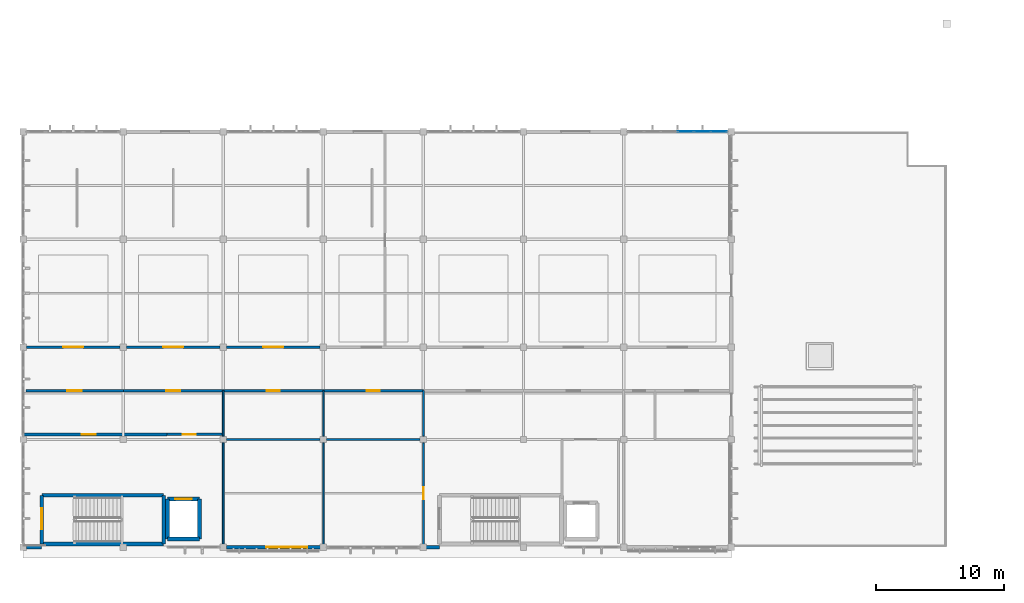
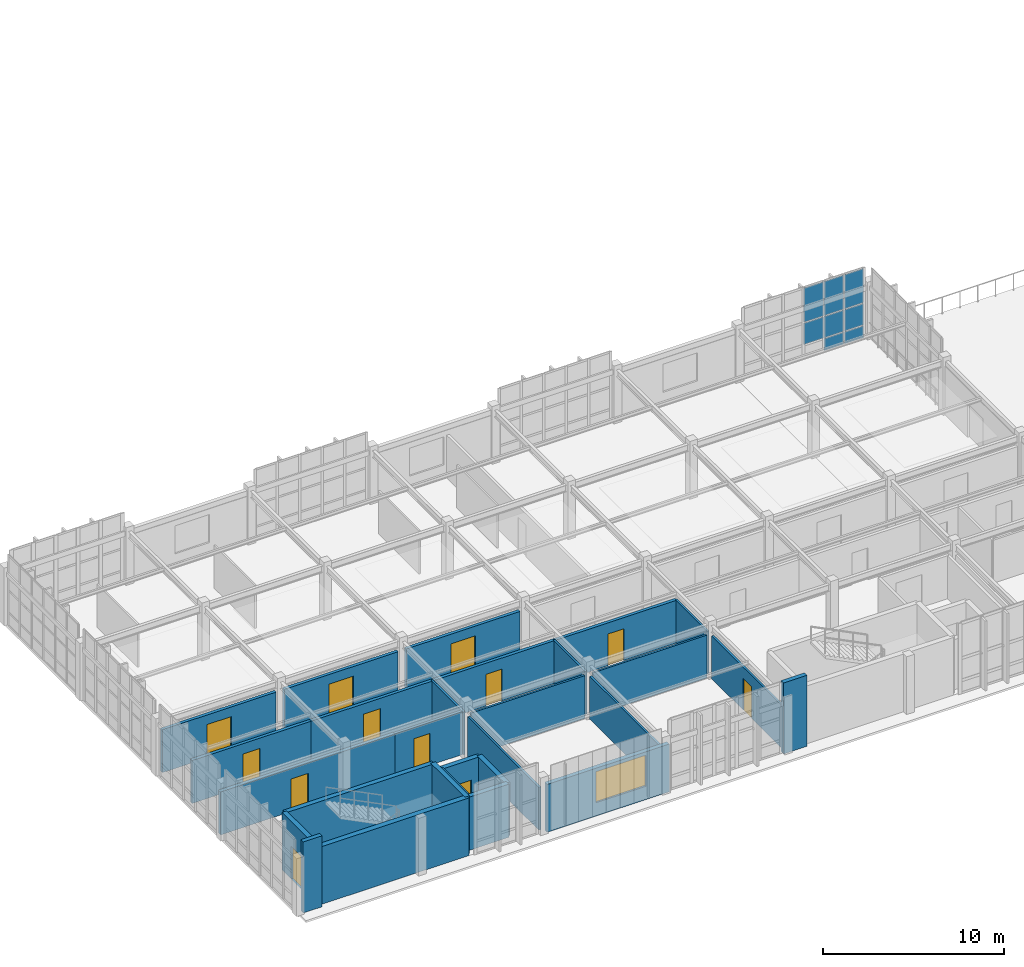
# One storey, part 12 of 20: 28 walls, 12 doors, 8 plates, 1 window, 13 openings, 1 element without a shape of its own.
"""IFC4 building model written with IfcOpenShell, lengths in metres."""

from ifc_helpers import new_model, si_unit, direction, frame, frame_2d, origin, origin_2d, place, context, subcontext, project, spatial, rectangle, extrude, material, layer, layer_set, type_object, element, fill, aggregate, save


model = new_model("IFC4")

# Units and contexts
model_context = context("Model", 3, precision=1e-05, world=origin(), true_north=direction((0.0, 1.0)))
body_context = subcontext(model_context, "Body", "Model", "MODEL_VIEW")
ifc_project = project(units=[si_unit("LENGTHUNIT", "METRE"), si_unit("AREAUNIT", "SQUARE_METRE"), si_unit("VOLUMEUNIT", "CUBIC_METRE"), si_unit("PLANEANGLEUNIT", "RADIAN"), si_unit("MASSUNIT", "GRAM", prefix="KILO")], contexts=[model_context])

# Site, building, storey
site_placement = place(None, origin())
site = spatial("IfcSite", under=ifc_project, at=site_placement, CompositionType="ELEMENT")
building_placement = place(site_placement, origin())
building = spatial("IfcBuilding", under=site, at=building_placement, Name="Tizgana Railside Sports Hall", CompositionType="ELEMENT")
storey_placement = place(building_placement, frame((0.0, 0.0, 19.800048828125)))
storey = spatial("IfcBuildingStorey", under=building, at=storey_placement, Name="L04", CompositionType="ELEMENT", Elevation=19.800048828125)

# Curtain wall, plates
ifc_material_1 = material(Name="Anodised aluminium and glass", Category="aluminium")
curtain_wall_type = type_object("IfcCurtainWallType", Name="Unitised Curtain Wall Clinic 1200", PredefinedType="NOTDEFINED", material=ifc_material_1)
curtain_wall_placement = place(storey_placement, origin())
curtain_wall = element("IfcCurtainWall", 1, at=curtain_wall_placement, inside=storey, type_object=curtain_wall_type, Name="L04 Curtain Wall CW-0140", PredefinedType="NOTDEFINED")
ifc_material_2 = material(Name="Double low-E laminated glass", Category="glass")
ifc_layer_1 = layer(ifc_material_2, 0.028076171875, Name="Double low-E laminated glass")
ifc_layer_set_1 = layer_set([ifc_layer_1], Name="Double low-E laminated glass")
plate_type = type_object("IfcPlateType", Name="Solar Low-E Glazing Panel 28", PredefinedType="CURTAIN_PANEL", material=ifc_layer_set_1)
plate_1_placement = place(storey_placement, frame((59.44921875, 32.39990234375, 0.929931640625), z_axis=(0.0, 0.0, 1.0), x_axis=(1.0, 0.0, 0.0)))
plate_1 = element("IfcPlate", 2, at=plate_1_placement, type_object=plate_type, Name="CW-05 panel 4.2", PredefinedType="CURTAIN_PANEL", context=body_context, shape_type="SweptSolid", body=[
    extrude(rectangle(XDim=1.23828125, YDim=0.028076171875, at=origin_2d()), origin(), (0.0, 0.0, 1.0), 1.43994140625),
])
plate_2_placement = place(storey_placement, frame((59.44921875, 32.39990234375, 2.429931640625), z_axis=(0.0, 0.0, 1.0), x_axis=(1.0, 0.0, 0.0)))
plate_2 = element("IfcPlate", 3, at=plate_2_placement, type_object=plate_type, Name="CW-05 panel 4.3", PredefinedType="CURTAIN_PANEL", context=body_context, shape_type="SweptSolid", body=[
    extrude(rectangle(XDim=1.23828125, YDim=0.028076171875, at=origin_2d()), origin(), (0.0, 0.0, 1.0), 2.31005859375),
])
plate_3_placement = place(storey_placement, frame((60.74755859375, 32.39990234375, 0.059814453125), z_axis=(0.0, 0.0, 1.0), x_axis=(1.0, 0.0, 0.0)))
plate_3 = element("IfcPlate", 4, at=plate_3_placement, type_object=plate_type, Name="CW-05 panel 5.1", PredefinedType="CURTAIN_PANEL", context=body_context, shape_type="SweptSolid", body=[
    extrude(rectangle(XDim=1.23828125, YDim=0.028076171875, at=origin_2d()), origin(), (0.0, 0.0, 1.0), 0.81005859375),
])
plate_4_placement = place(storey_placement, frame((60.74755859375, 32.39990234375, 0.929931640625), z_axis=(0.0, 0.0, 1.0), x_axis=(1.0, 0.0, 0.0)))
plate_4 = element("IfcPlate", 5, at=plate_4_placement, type_object=plate_type, Name="CW-05 panel 5.2", PredefinedType="CURTAIN_PANEL", context=body_context, shape_type="SweptSolid", body=[
    extrude(rectangle(XDim=1.23828125, YDim=0.028076171875, at=origin_2d()), origin(), (0.0, 0.0, 1.0), 1.43994140625),
])
plate_5_placement = place(storey_placement, frame((60.74755859375, 32.39990234375, 2.429931640625), z_axis=(0.0, 0.0, 1.0), x_axis=(1.0, 0.0, 0.0)))
plate_5 = element("IfcPlate", 6, at=plate_5_placement, type_object=plate_type, Name="CW-05 panel 5.3", PredefinedType="CURTAIN_PANEL", context=body_context, shape_type="SweptSolid", body=[
    extrude(rectangle(XDim=1.23828125, YDim=0.028076171875, at=origin_2d()), origin(), (0.0, 0.0, 1.0), 2.31005859375),
])
plate_6_placement = place(storey_placement, frame((62.03076171875, 32.39990234375, 0.059814453125), z_axis=(0.0, 0.0, 1.0), x_axis=(1.0, 0.0, 0.0)))
plate_6 = element("IfcPlate", 7, at=plate_6_placement, type_object=plate_type, Name="CW-05 panel 6.1", PredefinedType="CURTAIN_PANEL", context=body_context, shape_type="SweptSolid", body=[
    extrude(rectangle(XDim=1.208251953125, YDim=0.028076171875, at=origin_2d()), origin(), (0.0, 0.0, 1.0), 0.81005859375),
])
plate_7_placement = place(storey_placement, frame((62.03076171875, 32.39990234375, 0.929931640625), z_axis=(0.0, 0.0, 1.0), x_axis=(1.0, 0.0, 0.0)))
plate_7 = element("IfcPlate", 8, at=plate_7_placement, type_object=plate_type, Name="CW-05 panel 6.2", PredefinedType="CURTAIN_PANEL", context=body_context, shape_type="SweptSolid", body=[
    extrude(rectangle(XDim=1.208251953125, YDim=0.028076171875, at=origin_2d()), origin(), (0.0, 0.0, 1.0), 1.43994140625),
])
plate_8_placement = place(storey_placement, frame((62.03076171875, 32.39990234375, 2.429931640625), z_axis=(0.0, 0.0, 1.0), x_axis=(1.0, 0.0, 0.0)))
plate_8 = element("IfcPlate", 9, at=plate_8_placement, type_object=plate_type, Name="CW-05 panel 6.3", PredefinedType="CURTAIN_PANEL", context=body_context, shape_type="SweptSolid", body=[
    extrude(rectangle(XDim=1.208251953125, YDim=0.028076171875, at=origin_2d()), origin(), (0.0, 0.0, 1.0), 2.31005859375),
])
aggregate(curtain_wall, [plate_1, plate_2, plate_3, plate_4, plate_5, plate_6, plate_7, plate_8])

# Wall
ifc_material_3 = material(Name="Concrete C40/50", Category="concrete")
ifc_layer_2 = layer(ifc_material_3, 0.300048828125, Name="Concrete C40/50")
ifc_layer_set_2 = layer_set([ifc_layer_2], Name="Concrete C40/50")
wall_type_1 = type_object("IfcWallType", Name="Core Shear Wall 300", PredefinedType="SHEAR", material=ifc_layer_set_2)
wall_1_placement = place(storey_placement, frame((9.25, 4.050048828125, 0.0), z_axis=(0.0, 0.0, 1.0), x_axis=(1.0, 0.0, 0.0)))
element("IfcWall", 10, at=wall_1_placement, inside=storey, type_object=wall_type_1, Name="L04 C1 Shaft Wall N", PredefinedType="SHEAR", context=body_context, shape_type="SweptSolid", body=[
    extrude(rectangle(XDim=9.5, YDim=0.300048828125, at=frame_2d((4.75, 0.0))), origin(), (0.0, 0.0, 1.0), 3.89990234375),
])

# Wall, opening, door
wall_2_placement = place(storey_placement, frame((9.25, 0.25, 0.0), z_axis=(0.0, 0.0, 1.0), x_axis=(0.0, 1.0, 0.0)))
wall_2 = element("IfcWall", 11, at=wall_2_placement, inside=storey, type_object=wall_type_1, Name="L04 C1 Shaft Wall W", PredefinedType="SHEAR", context=body_context, shape_type="SweptSolid", body=[
    extrude(rectangle(XDim=3.800048828125, YDim=0.300048828125, at=frame_2d((1.89990234375, 0.0))), origin(), (0.0, 0.0, 1.0), 3.89990234375),
])
opening_1_placement = place(wall_2_placement, frame((1.14990234375, 0.0, 0.0)))
opening_1 = element("IfcOpeningElement", 12, at=opening_1_placement, cuts=wall_2, Name="Opening D-0042", PredefinedType="OPENING", context=body_context, shape_type="SweptSolid", body=[
    extrude(rectangle(XDim=1.64990234375, YDim=2.199951171875, at=frame_2d((0.824951171875, 1.10009765625))), frame((0.0, 0.159912109375, 0.0), z_axis=(0.0, -1.0, 0.0), x_axis=(1.0, 0.0, 0.0)), (0.0, 0.0, 1.0), 0.320068359375),
])
ifc_material_4 = material(Name="Timber fire leaf", Category="wood")
door_type_1 = type_object("IfcDoorType", Name="Stair Core Double Fire Door 1650x2200", OperationType="NOTDEFINED", PredefinedType="DOOR", material=ifc_material_4)
door_1_placement = place(opening_1_placement, origin())
door_1 = element("IfcDoor", 13, at=door_1_placement, inside=storey, type_object=door_type_1, Name="L04 Door D-0042", OperationType="DOUBLE_DOOR_SINGLE_SWING", OverallHeight=2.199951171875, OverallWidth=1.64990234375, PredefinedType="DOOR", context=body_context, shape_type="SweptSolid", body=[
    extrude(rectangle(XDim=1.64990234375, YDim=2.199951171875, at=frame_2d((0.824951171875, 1.10009765625))), frame((0.0, 0.02490234375, 0.0), z_axis=(0.0, -1.0, 0.0), x_axis=(1.0, 0.0, 0.0)), (0.0, 0.0, 1.0), 0.050048828125),
])
fill(opening_1, door_1)

# Walls
wall_3_placement = place(storey_placement, frame((18.75, 0.25, 0.0), z_axis=(0.0, 0.0, 1.0), x_axis=(0.0, 1.0, 0.0)))
element("IfcWall", 14, at=wall_3_placement, inside=storey, type_object=wall_type_1, Name="L04 C1 Shaft Wall E", PredefinedType="SHEAR", context=body_context, shape_type="SweptSolid", body=[
    extrude(rectangle(XDim=3.800048828125, YDim=0.300048828125, at=frame_2d((1.89990234375, 0.0))), origin(), (0.0, 0.0, 1.0), 3.89990234375),
])
wall_4_placement = place(storey_placement, frame((19.050048828125, 0.64990234375, 0.0), z_axis=(0.0, 0.0, 1.0), x_axis=(1.0, 0.0, 0.0)))
element("IfcWall", 15, at=wall_4_placement, inside=storey, type_object=wall_type_1, Name="L04 LF-01 Shaft Wall S", PredefinedType="SHEAR", context=body_context, shape_type="SweptSolid", body=[
    extrude(rectangle(XDim=2.5, YDim=0.300048828125, at=frame_2d((1.25, 0.0))), origin(), (0.0, 0.0, 1.0), 3.599853515625),
])

# Wall, opening, door
wall_5_placement = place(storey_placement, frame((19.050048828125, 3.75, 0.0), z_axis=(0.0, 0.0, 1.0), x_axis=(1.0, 0.0, 0.0)))
wall_5 = element("IfcWall", 16, at=wall_5_placement, inside=storey, type_object=wall_type_1, Name="L04 LF-01 Shaft Wall N", PredefinedType="SHEAR", context=body_context, shape_type="SweptSolid", body=[
    extrude(rectangle(XDim=2.5, YDim=0.300048828125, at=frame_2d((1.25, 0.0))), origin(), (0.0, 0.0, 1.0), 3.599853515625),
])
opening_2_placement = place(wall_5_placement, frame((0.60009765625, 0.0, 0.0)))
opening_2 = element("IfcOpeningElement", 17, at=opening_2_placement, cuts=wall_5, Name="Opening D-0048", PredefinedType="OPENING", context=body_context, shape_type="SweptSolid", body=[
    extrude(rectangle(XDim=1.300048828125, YDim=2.199951171875, at=frame_2d((0.64990234375, 1.10009765625))), frame((0.0, 0.159912109375, 0.0), z_axis=(0.0, -1.0, 0.0), x_axis=(1.0, 0.0, 0.0)), (0.0, 0.0, 1.0), 0.320068359375),
])
ifc_material_5 = material(Name="Brushed stainless steel", Category="steel")
door_type_2 = type_object("IfcDoorType", Name="Stretcher Lift Sliding Door 1300x2200", OperationType="NOTDEFINED", PredefinedType="DOOR", material=ifc_material_5)
door_2_placement = place(opening_2_placement, origin())
door_2 = element("IfcDoor", 18, at=door_2_placement, inside=storey, type_object=door_type_2, Name="L04 Door D-0048", OperationType="DOUBLE_DOOR_SLIDING", OverallHeight=2.199951171875, OverallWidth=1.300048828125, PredefinedType="DOOR", context=body_context, shape_type="SweptSolid", body=[
    extrude(rectangle(XDim=1.300048828125, YDim=2.199951171875, at=frame_2d((0.64990234375, 1.10009765625))), frame((0.0, 0.02490234375, 0.0), z_axis=(0.0, -1.0, 0.0), x_axis=(1.0, 0.0, 0.0)), (0.0, 0.0, 1.0), 0.050048828125),
])
fill(opening_2, door_2)

# Walls
for number, where, z_axis, x_axis, name in (
    (19, (19.050048828125, 0.64990234375, 0.0), (0.0, 0.0, 1.0), (0.0, 1.0, 0.0), "L04 LF-01 Shaft Wall W"),
    (20, (21.550048828125, 0.64990234375, 0.0), (0.0, 0.0, 1.0), (0.0, 1.0, 0.0), "L04 LF-01 Shaft Wall E"),
):
    element("IfcWall", number, at=place(storey_placement, frame(where, z_axis=z_axis, x_axis=x_axis)), inside=storey, type_object=wall_type_1, Name=name, PredefinedType="SHEAR", context=body_context, shape_type="SweptSolid", body=[
        extrude(rectangle(XDim=3.10009765625, YDim=0.300048828125, at=frame_2d((1.550048828125, 0.0))), origin(), (0.0, 0.0, 1.0), 3.599853515625),
    ])

# Wall, opening, door
ifc_material_6 = material(Name="Masonry blockwork", Category="masonry")
ifc_layer_3 = layer(ifc_material_6, 0.199951171875, Name="Masonry blockwork")
ifc_layer_set_3 = layer_set([ifc_layer_3], Name="Masonry blockwork")
wall_type_2 = type_object("IfcWallType", Name="Corridor Compartment Partition 200", PredefinedType="STANDARD", material=ifc_layer_set_3)
wall_6_placement = place(storey_placement, frame((8.06005859375, 15.60009765625, 0.0), z_axis=(0.0, 0.0, 1.0), x_axis=(1.0, 0.0, 0.0)))
wall_6 = element("IfcWall", 21, at=wall_6_placement, inside=storey, type_object=wall_type_2, Name="L04 Partition PWAL-0196", PredefinedType="STANDARD", context=body_context, shape_type="SweptSolid", body=[
    extrude(rectangle(XDim=7.280029296875, YDim=0.199951171875, at=frame_2d((3.64013671875, 0.0))), origin(), (0.0, 0.0, 1.0), 2.89990234375),
])
opening_3_placement = place(wall_6_placement, frame((2.864990234375, 0.0, 0.0)))
opening_3 = element("IfcOpeningElement", 22, at=opening_3_placement, cuts=wall_6, Name="Opening D-0211", PredefinedType="OPENING", context=body_context, shape_type="SweptSolid", body=[
    extrude(rectangle(XDim=1.550048828125, YDim=2.25, at=frame_2d((0.77490234375, 1.125))), frame((0.0, 0.10986328125, 0.0), z_axis=(0.0, -1.0, 0.0), x_axis=(1.0, 0.0, 0.0)), (0.0, 0.0, 1.0), 0.219970703125),
])
ifc_material_7 = material(Name="Acoustic perforated timber", Category="wood")
door_type_3 = type_object("IfcDoorType", Name="Studio Acoustic Double Door 1550x2250", OperationType="NOTDEFINED", PredefinedType="DOOR", material=ifc_material_7)
door_3_placement = place(opening_3_placement, origin())
door_3 = element("IfcDoor", 23, at=door_3_placement, inside=storey, type_object=door_type_3, Name="L04 Door D-0211", OperationType="DOUBLE_DOOR_SINGLE_SWING", OverallHeight=2.25, OverallWidth=1.550048828125, PredefinedType="DOOR", context=body_context, shape_type="SweptSolid", body=[
    extrude(rectangle(XDim=1.550048828125, YDim=2.25, at=frame_2d((0.77490234375, 1.125))), frame((0.0, 0.02490234375, 0.0), z_axis=(0.0, -1.0, 0.0), x_axis=(1.0, 0.0, 0.0)), (0.0, 0.0, 1.0), 0.050048828125),
])
fill(opening_3, door_3)

wall_7_placement = place(storey_placement, frame((8.0, 12.199951171875, 0.0), z_axis=(0.0, 0.0, 1.0), x_axis=(1.0, 0.0, 0.0)))
wall_7 = element("IfcWall", 24, at=wall_7_placement, inside=storey, type_object=wall_type_2, Name="L04 Partition PWAL-0197", PredefinedType="STANDARD", context=body_context, shape_type="SweptSolid", body=[
    extrude(rectangle(XDim=7.60009765625, YDim=0.199951171875, at=frame_2d((3.800048828125, 0.0))), origin(), (0.0, 0.0, 1.0), 2.89990234375),
])
opening_4_placement = place(wall_7_placement, frame((3.25, 0.0, 0.0)))
opening_4 = element("IfcOpeningElement", 25, at=opening_4_placement, cuts=wall_7, Name="Opening D-0212", PredefinedType="OPENING", context=body_context, shape_type="SweptSolid", body=[
    extrude(rectangle(XDim=1.10009765625, YDim=2.199951171875, at=frame_2d((0.550048828125, 1.10009765625))), frame((0.0, 0.10986328125, 0.0), z_axis=(0.0, -1.0, 0.0), x_axis=(1.0, 0.0, 0.0)), (0.0, 0.0, 1.0), 0.219970703125),
])
door_type_4 = type_object("IfcDoorType", Name="Firefighting Lobby Fire Door 1100x2200", OperationType="NOTDEFINED", PredefinedType="DOOR", material=ifc_material_4)
door_4_placement = place(opening_4_placement, origin())
door_4 = element("IfcDoor", 26, at=door_4_placement, inside=storey, type_object=door_type_4, Name="L04 Door D-0212", OperationType="SINGLE_SWING_LEFT", OverallHeight=2.199951171875, OverallWidth=1.10009765625, PredefinedType="DOOR", context=body_context, shape_type="SweptSolid", body=[
    extrude(rectangle(XDim=1.10009765625, YDim=2.199951171875, at=frame_2d((0.550048828125, 1.10009765625))), frame((0.0, 0.02490234375, 0.0), z_axis=(0.0, -1.0, 0.0), x_axis=(1.0, 0.0, 0.0)), (0.0, 0.0, 1.0), 0.050048828125),
])
fill(opening_4, door_4)

wall_8_placement = place(storey_placement, frame((15.860107421875, 15.60009765625, 0.0), z_axis=(0.0, 0.0, 1.0), x_axis=(1.0, 0.0, 0.0)))
wall_8 = element("IfcWall", 27, at=wall_8_placement, inside=storey, type_object=wall_type_2, Name="L04 Partition PWAL-0198", PredefinedType="STANDARD", context=body_context, shape_type="SweptSolid", body=[
    extrude(rectangle(XDim=7.27978515625, YDim=0.199951171875, at=frame_2d((3.639892578125, 0.0))), origin(), (0.0, 0.0, 1.0), 2.89990234375),
])
opening_5_placement = place(wall_8_placement, frame((2.864990234375, 0.0, 0.0)))
opening_5 = element("IfcOpeningElement", 28, at=opening_5_placement, cuts=wall_8, Name="Opening D-0213", PredefinedType="OPENING", context=body_context, shape_type="SweptSolid", body=[
    extrude(rectangle(XDim=1.550048828125, YDim=2.25, at=frame_2d((0.77490234375, 1.125))), frame((0.0, 0.10986328125, 0.0), z_axis=(0.0, -1.0, 0.0), x_axis=(1.0, 0.0, 0.0)), (0.0, 0.0, 1.0), 0.219970703125),
])
door_5_placement = place(opening_5_placement, origin())
door_5 = element("IfcDoor", 29, at=door_5_placement, inside=storey, type_object=door_type_3, Name="L04 Door D-0213", OperationType="DOUBLE_DOOR_SINGLE_SWING", OverallHeight=2.25, OverallWidth=1.550048828125, PredefinedType="DOOR", context=body_context, shape_type="SweptSolid", body=[
    extrude(rectangle(XDim=1.550048828125, YDim=2.25, at=frame_2d((0.77490234375, 1.125))), frame((0.0, 0.02490234375, 0.0), z_axis=(0.0, -1.0, 0.0), x_axis=(1.0, 0.0, 0.0)), (0.0, 0.0, 1.0), 0.050048828125),
])
fill(opening_5, door_5)

wall_9_placement = place(storey_placement, frame((15.60009765625, 12.199951171875, 0.0), z_axis=(0.0, 0.0, 1.0), x_axis=(1.0, 0.0, 0.0)))
wall_9 = element("IfcWall", 30, at=wall_9_placement, inside=storey, type_object=wall_type_2, Name="L04 Partition PWAL-0199", PredefinedType="STANDARD", context=body_context, shape_type="SweptSolid", body=[
    extrude(rectangle(XDim=7.7998046875, YDim=0.199951171875, at=frame_2d((3.89990234375, 0.0))), origin(), (0.0, 0.0, 1.0), 2.89990234375),
])
opening_6_placement = place(wall_9_placement, frame((3.35009765625, 0.0, 0.0)))
opening_6 = element("IfcOpeningElement", 31, at=opening_6_placement, cuts=wall_9, Name="Opening D-0214", PredefinedType="OPENING", context=body_context, shape_type="SweptSolid", body=[
    extrude(rectangle(XDim=1.10009765625, YDim=2.199951171875, at=frame_2d((0.550048828125, 1.10009765625))), frame((0.0, 0.10986328125, 0.0), z_axis=(0.0, -1.0, 0.0), x_axis=(1.0, 0.0, 0.0)), (0.0, 0.0, 1.0), 0.219970703125),
])
door_6_placement = place(opening_6_placement, origin())
door_6 = element("IfcDoor", 32, at=door_6_placement, inside=storey, type_object=door_type_4, Name="L04 Door D-0214", OperationType="SINGLE_SWING_RIGHT", OverallHeight=2.199951171875, OverallWidth=1.10009765625, PredefinedType="DOOR", context=body_context, shape_type="SweptSolid", body=[
    extrude(rectangle(XDim=1.10009765625, YDim=2.199951171875, at=frame_2d((0.550048828125, 1.10009765625))), frame((0.0, 0.02490234375, 0.0), z_axis=(0.0, -1.0, 0.0), x_axis=(1.0, 0.0, 0.0)), (0.0, 0.0, 1.0), 0.050048828125),
])
fill(opening_6, door_6)

wall_10_placement = place(storey_placement, frame((23.659912109375, 15.60009765625, 0.0), z_axis=(0.0, 0.0, 1.0), x_axis=(1.0, 0.0, 0.0)))
wall_10 = element("IfcWall", 33, at=wall_10_placement, inside=storey, type_object=wall_type_2, Name="L04 Partition PWAL-0200", PredefinedType="STANDARD", context=body_context, shape_type="SweptSolid", body=[
    extrude(rectangle(XDim=7.280029296875, YDim=0.199951171875, at=frame_2d((3.64013671875, 0.0))), origin(), (0.0, 0.0, 1.0), 2.89990234375),
])
opening_7_placement = place(wall_10_placement, frame((2.864990234375, 0.0, 0.0)))
opening_7 = element("IfcOpeningElement", 34, at=opening_7_placement, cuts=wall_10, Name="Opening D-0215", PredefinedType="OPENING", context=body_context, shape_type="SweptSolid", body=[
    extrude(rectangle(XDim=1.550048828125, YDim=2.25, at=frame_2d((0.77490234375, 1.125))), frame((0.0, 0.10986328125, 0.0), z_axis=(0.0, -1.0, 0.0), x_axis=(1.0, 0.0, 0.0)), (0.0, 0.0, 1.0), 0.219970703125),
])
door_7_placement = place(opening_7_placement, origin())
door_7 = element("IfcDoor", 35, at=door_7_placement, inside=storey, type_object=door_type_3, Name="L04 Door D-0215", OperationType="DOUBLE_DOOR_SINGLE_SWING", OverallHeight=2.25, OverallWidth=1.550048828125, PredefinedType="DOOR", context=body_context, shape_type="SweptSolid", body=[
    extrude(rectangle(XDim=1.550048828125, YDim=2.25, at=frame_2d((0.77490234375, 1.125))), frame((0.0, 0.02490234375, 0.0), z_axis=(0.0, -1.0, 0.0), x_axis=(1.0, 0.0, 0.0)), (0.0, 0.0, 1.0), 0.050048828125),
])
fill(opening_7, door_7)

wall_11_placement = place(storey_placement, frame((23.39990234375, 12.199951171875, 0.0), z_axis=(0.0, 0.0, 1.0), x_axis=(1.0, 0.0, 0.0)))
wall_11 = element("IfcWall", 36, at=wall_11_placement, inside=storey, type_object=wall_type_2, Name="L04 Partition PWAL-0201", PredefinedType="STANDARD", context=body_context, shape_type="SweptSolid", body=[
    extrude(rectangle(XDim=7.800048828125, YDim=0.199951171875, at=frame_2d((3.89990234375, 0.0))), origin(), (0.0, 0.0, 1.0), 2.89990234375),
])
opening_8_placement = place(wall_11_placement, frame((3.389892578125, 0.0, 0.0)))
opening_8 = element("IfcOpeningElement", 37, at=opening_8_placement, cuts=wall_11, Name="Opening D-0216", PredefinedType="OPENING", context=body_context, shape_type="SweptSolid", body=[
    extrude(rectangle(XDim=1.02001953125, YDim=2.14990234375, at=frame_2d((0.510009765625, 1.074951171875))), frame((0.0, 0.10986328125, 0.0), z_axis=(0.0, -1.0, 0.0), x_axis=(1.0, 0.0, 0.0)), (0.0, 0.0, 1.0), 0.219970703125),
])
ifc_material_8 = material(Name="Solid beech timber", Category="wood")
door_type_5 = type_object("IfcDoorType", Name="Accessible Changing & WC Door 1020x2150", OperationType="NOTDEFINED", PredefinedType="DOOR", material=ifc_material_8)
door_8_placement = place(opening_8_placement, origin())
door_8 = element("IfcDoor", 38, at=door_8_placement, inside=storey, type_object=door_type_5, Name="L04 Door D-0216", OperationType="SINGLE_SWING_LEFT", OverallHeight=2.14990234375, OverallWidth=1.02001953125, PredefinedType="DOOR", context=body_context, shape_type="SweptSolid", body=[
    extrude(rectangle(XDim=1.02001953125, YDim=2.14990234375, at=frame_2d((0.510009765625, 1.074951171875))), frame((0.0, 0.02490234375, 0.0), z_axis=(0.0, -1.0, 0.0), x_axis=(1.0, 0.0, 0.0)), (0.0, 0.0, 1.0), 0.050048828125),
])
fill(opening_8, door_8)

wall_12_placement = place(storey_placement, frame((31.199951171875, 12.199951171875, 0.0), z_axis=(0.0, 0.0, 1.0), x_axis=(1.0, 0.0, 0.0)))
wall_12 = element("IfcWall", 39, at=wall_12_placement, inside=storey, type_object=wall_type_2, Name="L04 Partition PWAL-0203", PredefinedType="STANDARD", context=body_context, shape_type="SweptSolid", body=[
    extrude(rectangle(XDim=7.800048828125, YDim=0.199951171875, at=frame_2d((3.89990234375, 0.0))), origin(), (0.0, 0.0, 1.0), 2.89990234375),
])
opening_9_placement = place(wall_12_placement, frame((3.389892578125, 0.0, 0.0)))
opening_9 = element("IfcOpeningElement", 40, at=opening_9_placement, cuts=wall_12, Name="Opening D-0218", PredefinedType="OPENING", context=body_context, shape_type="SweptSolid", body=[
    extrude(rectangle(XDim=1.02001953125, YDim=2.14990234375, at=frame_2d((0.510009765625, 1.074951171875))), frame((0.0, 0.10986328125, 0.0), z_axis=(0.0, -1.0, 0.0), x_axis=(1.0, 0.0, 0.0)), (0.0, 0.0, 1.0), 0.219970703125),
])
door_9_placement = place(opening_9_placement, origin())
door_9 = element("IfcDoor", 41, at=door_9_placement, inside=storey, type_object=door_type_5, Name="L04 Door D-0218", OperationType="SINGLE_SWING_RIGHT", OverallHeight=2.14990234375, OverallWidth=1.02001953125, PredefinedType="DOOR", context=body_context, shape_type="SweptSolid", body=[
    extrude(rectangle(XDim=1.02001953125, YDim=2.14990234375, at=frame_2d((0.510009765625, 1.074951171875))), frame((0.0, 0.02490234375, 0.0), z_axis=(0.0, -1.0, 0.0), x_axis=(1.0, 0.0, 0.0)), (0.0, 0.0, 1.0), 0.050048828125),
])
fill(opening_9, door_9)

# Walls
ifc_material_9 = material(Name="Concrete C35/45", Category="concrete")
ifc_layer_4 = layer(ifc_material_9, 0.340087890625, Name="Concrete C35/45")
ifc_layer_set_4 = layer_set([ifc_layer_4], Name="Concrete C35/45")
wall_type_3 = type_object("IfcWallType", Name="Exterior Insulated Concrete Wall 340", PredefinedType="STANDARD", material=ifc_layer_set_4)
wall_13_placement = place(storey_placement, frame((18.75, 0.25, 0.0), z_axis=(0.0, 0.0, 1.0), x_axis=(-1.0, 0.0, 0.0)))
element("IfcWall", 42, at=wall_13_placement, inside=storey, type_object=wall_type_3, Name="L04 C1 Shaft Wall S", PredefinedType="STANDARD", context=body_context, shape_type="SweptSolid", body=[
    extrude(rectangle(XDim=9.5, YDim=0.340087890625, at=frame_2d((4.75, 0.0))), origin(), (0.0, 0.0, 1.0), 3.89990234375),
])
ifc_material_10 = material(Name="Precast concrete C40/50", Category="concrete")
ifc_layer_5 = layer(ifc_material_10, 0.27001953125, Name="Precast concrete C40/50")
ifc_layer_set_5 = layer_set([ifc_layer_5], Name="Precast concrete C40/50")
wall_type_4 = type_object("IfcWallType", Name="Exterior Studio Facade Wall 270", PredefinedType="STANDARD", material=ifc_layer_set_5)
wall_14_placement = place(storey_placement, frame((9.2451171875, 0.0, 0.0), z_axis=(0.0, 0.0, 1.0), x_axis=(-1.0, 0.0, 0.0)))
element("IfcWall", 43, at=wall_14_placement, inside=storey, type_object=wall_type_4, Name="L04 Exterior Wall EWAL-0121", PredefinedType="STANDARD", context=body_context, shape_type="SweptSolid", body=[
    extrude(rectangle(XDim=1.205078125, YDim=0.27001953125, at=frame_2d((0.6025390625, 0.0))), origin(), (0.0, 0.0, 1.0), 4.800048828125),
])

# Wall, opening, window
wall_15_placement = place(storey_placement, frame((31.447509765625, 0.0, 0.0), z_axis=(0.0, 0.0, 1.0), x_axis=(-1.0, 0.0, 0.0)))
wall_15 = element("IfcWall", 44, at=wall_15_placement, inside=storey, type_object=wall_type_4, Name="L04 Exterior Wall EWAL-0122", PredefinedType="STANDARD", context=body_context, shape_type="SweptSolid", body=[
    extrude(rectangle(XDim=7.8076171875, YDim=0.27001953125, at=frame_2d((3.90380859375, 0.0))), origin(), (0.0, 0.0, 1.0), 3.23095703125),
])
opening_10_placement = place(wall_15_placement, frame((1.49755859375, 0.0, 0.89990234375)))
opening_10 = element("IfcOpeningElement", 45, at=opening_10_placement, cuts=wall_15, Name="Opening W-0089", PredefinedType="OPENING", context=body_context, shape_type="SweptSolid", body=[
    extrude(rectangle(XDim=3.199951171875, YDim=2.10009765625, at=frame_2d((1.60009765625, 1.050048828125))), frame((0.0, 0.14501953125, 0.0), z_axis=(0.0, -1.0, 0.0), x_axis=(1.0, 0.0, 0.0)), (0.0, 0.0, 1.0), 0.2900390625),
])
window_type = type_object("IfcWindowType", Name="Studio Wide Window 3200x2100", PartitioningType="SINGLE_PANEL", PredefinedType="WINDOW", material=ifc_material_2)
window_placement = place(opening_10_placement, origin())
window = element("IfcWindow", 46, at=window_placement, inside=storey, type_object=window_type, Name="L04 Window W-0089", OverallHeight=2.10009765625, OverallWidth=3.199951171875, PartitioningType="SINGLE_PANEL", PredefinedType="WINDOW", context=body_context, shape_type="SweptSolid", body=[
    extrude(rectangle(XDim=3.199951171875, YDim=2.10009765625, at=frame_2d((1.60009765625, 1.050048828125))), frame((0.0, 0.030029296875, 0.0), z_axis=(0.0, -1.0, 0.0), x_axis=(1.0, 0.0, 0.0)), (0.0, 0.0, 1.0), 0.06005859375),
])
fill(opening_10, window)

# Wall
wall_16_placement = place(storey_placement, frame((40.2451171875, 0.0, 0.0), z_axis=(0.0, 0.0, 1.0), x_axis=(-1.0, 0.0, 0.0)))
element("IfcWall", 47, at=wall_16_placement, inside=storey, type_object=wall_type_4, Name="L04 Exterior Wall EWAL-0123", PredefinedType="STANDARD", context=body_context, shape_type="SweptSolid", body=[
    extrude(rectangle(XDim=1.49267578125, YDim=0.27001953125, at=frame_2d((0.746337890625, 0.0))), origin(), (0.0, 0.0, 1.0), 4.800048828125),
])

# Wall, opening, door
ifc_layer_6 = layer(ifc_material_9, 0.239990234375, Name="Concrete C35/45")
ifc_layer_set_6 = layer_set([ifc_layer_6], Name="Concrete C35/45")
wall_type_5 = type_object("IfcWallType", Name="Firefighting Lobby Wall 240", PredefinedType="STANDARD", material=ifc_layer_set_6)
wall_17_placement = place(storey_placement, frame((7.844970703125, 8.800048828125, 0.0), z_axis=(0.0, 0.0, 1.0), x_axis=(1.0, 0.0, 0.0)))
wall_17 = element("IfcWall", 48, at=wall_17_placement, inside=storey, type_object=wall_type_5, Name="L04 Partition PWAL-0306", PredefinedType="STANDARD", context=body_context, shape_type="SweptSolid", body=[
    extrude(rectangle(XDim=11.155029296875, YDim=0.239990234375, at=frame_2d((5.57763671875, 0.0))), origin(), (0.0, 0.0, 1.0), 2.89990234375),
])
opening_11_placement = place(wall_17_placement, frame((4.5048828125, 0.0, 0.0)))
opening_11 = element("IfcOpeningElement", 49, at=opening_11_placement, cuts=wall_17, Name="Opening D-0284", PredefinedType="OPENING", context=body_context, shape_type="SweptSolid", body=[
    extrude(rectangle(XDim=1.10009765625, YDim=2.199951171875, at=frame_2d((0.550048828125, 1.10009765625))), frame((0.0, 0.1298828125, 0.0), z_axis=(0.0, -1.0, 0.0), x_axis=(1.0, 0.0, 0.0)), (0.0, 0.0, 1.0), 0.260009765625),
])
door_10_placement = place(opening_11_placement, origin())
door_10 = element("IfcDoor", 50, at=door_10_placement, inside=storey, type_object=door_type_4, Name="L04 Door D-0284", OperationType="SINGLE_SWING_LEFT", OverallHeight=2.199951171875, OverallWidth=1.10009765625, PredefinedType="DOOR", context=body_context, shape_type="SweptSolid", body=[
    extrude(rectangle(XDim=1.10009765625, YDim=2.199951171875, at=frame_2d((0.550048828125, 1.10009765625))), frame((0.0, 0.02490234375, 0.0), z_axis=(0.0, -1.0, 0.0), x_axis=(1.0, 0.0, 0.0)), (0.0, 0.0, 1.0), 0.050048828125),
])
fill(opening_11, door_10)

# Walls
ifc_material_11 = material(Name="Acoustic gypsum stud")
ifc_layer_7 = layer(ifc_material_11, 0.1298828125, Name="Acoustic gypsum stud")
ifc_layer_set_7 = layer_set([ifc_layer_7], Name="Acoustic gypsum stud")
wall_type_6 = type_object("IfcWallType", Name="General Interior Partition 130", PredefinedType="STANDARD", material=ifc_layer_set_7)
wall_18_placement = place(storey_placement, frame((23.39990234375, 0.260009765625, 0.0), z_axis=(0.0, 0.0, 1.0), x_axis=(0.0, 1.0, 0.0)))
element("IfcWall", 51, at=wall_18_placement, inside=storey, type_object=wall_type_6, Name="L04 Partition PWAL-0212", PredefinedType="STANDARD", context=body_context, shape_type="SweptSolid", body=[
    extrude(rectangle(XDim=7.8798828125, YDim=0.1298828125, at=frame_2d((3.93994140625, 0.0))), origin(), (0.0, 0.0, 1.0), 2.89990234375),
])
wall_19_placement = place(storey_placement, frame((23.39990234375, 8.659912109375, 0.0), z_axis=(0.0, 0.0, 1.0), x_axis=(0.0, 1.0, 0.0)))
element("IfcWall", 52, at=wall_19_placement, inside=storey, type_object=wall_type_6, Name="L04 Partition PWAL-0213", PredefinedType="STANDARD", context=body_context, shape_type="SweptSolid", body=[
    extrude(rectangle(XDim=3.5400390625, YDim=0.1298828125, at=frame_2d((1.77001953125, 0.0))), origin(), (0.0, 0.0, 1.0), 2.89990234375),
])
wall_20_placement = place(storey_placement, frame((31.199951171875, 0.139892578125, 0.0), z_axis=(0.0, 0.0, 1.0), x_axis=(0.0, 1.0, 0.0)))
element("IfcWall", 53, at=wall_20_placement, inside=storey, type_object=wall_type_6, Name="L04 Partition PWAL-0214", PredefinedType="STANDARD", context=body_context, shape_type="SweptSolid", body=[
    extrude(rectangle(XDim=8.0, YDim=0.1298828125, at=frame_2d((4.0, 0.0))), origin(), (0.0, 0.0, 1.0), 2.89990234375),
])
wall_21_placement = place(storey_placement, frame((31.199951171875, 8.659912109375, 0.0), z_axis=(0.0, 0.0, 1.0), x_axis=(0.0, 1.0, 0.0)))
element("IfcWall", 54, at=wall_21_placement, inside=storey, type_object=wall_type_6, Name="L04 Partition PWAL-0215", PredefinedType="STANDARD", context=body_context, shape_type="SweptSolid", body=[
    extrude(rectangle(XDim=3.5400390625, YDim=0.1298828125, at=frame_2d((1.77001953125, 0.0))), origin(), (0.0, 0.0, 1.0), 2.89990234375),
])

# Wall, opening, door
wall_22_placement = place(storey_placement, frame((39.0, 0.139892578125, 0.0), z_axis=(0.0, 0.0, 1.0), x_axis=(0.0, 1.0, 0.0)))
wall_22 = element("IfcWall", 55, at=wall_22_placement, inside=storey, type_object=wall_type_6, Name="L04 Partition PWAL-0216", PredefinedType="STANDARD", context=body_context, shape_type="SweptSolid", body=[
    extrude(rectangle(XDim=8.0, YDim=0.1298828125, at=frame_2d((4.0, 0.0))), origin(), (0.0, 0.0, 1.0), 2.89990234375),
])
opening_12_placement = place(wall_22_placement, frame((3.60009765625, 0.0, 0.0)))
opening_12 = element("IfcOpeningElement", 56, at=opening_12_placement, cuts=wall_22, Name="Opening D-0227", PredefinedType="OPENING", context=body_context, shape_type="SweptSolid", body=[
    extrude(rectangle(XDim=0.919921875, YDim=2.14990234375, at=frame_2d((0.4599609375, 1.074951171875))), frame((0.0, 0.074951171875, 0.0), z_axis=(0.0, -1.0, 0.0), x_axis=(1.0, 0.0, 0.0)), (0.0, 0.0, 1.0), 0.14990234375),
])
door_type_6 = type_object("IfcDoorType", Name="Consultation & Coaching Door 920x2150", OperationType="NOTDEFINED", PredefinedType="DOOR", material=ifc_material_8)
door_11_placement = place(opening_12_placement, origin())
door_11 = element("IfcDoor", 57, at=door_11_placement, inside=storey, type_object=door_type_6, Name="L04 Door D-0227", OperationType="SINGLE_SWING_RIGHT", OverallHeight=2.14990234375, OverallWidth=0.919921875, PredefinedType="DOOR", context=body_context, shape_type="SweptSolid", body=[
    extrude(rectangle(XDim=0.919921875, YDim=2.14990234375, at=frame_2d((0.4599609375, 1.074951171875))), frame((0.0, 0.02490234375, 0.0), z_axis=(0.0, -1.0, 0.0), x_axis=(1.0, 0.0, 0.0)), (0.0, 0.0, 1.0), 0.050048828125),
])
fill(opening_12, door_11)

# Walls
wall_23_placement = place(storey_placement, frame((39.0, 8.659912109375, 0.0), z_axis=(0.0, 0.0, 1.0), x_axis=(0.0, 1.0, 0.0)))
element("IfcWall", 58, at=wall_23_placement, inside=storey, type_object=wall_type_6, Name="L04 Partition PWAL-0217", PredefinedType="STANDARD", context=body_context, shape_type="SweptSolid", body=[
    extrude(rectangle(XDim=3.5400390625, YDim=0.1298828125, at=frame_2d((1.77001953125, 0.0))), origin(), (0.0, 0.0, 1.0), 2.89990234375),
])
for number, where, z_axis, x_axis, name in (
    (59, (23.659912109375, 8.39990234375, 0.0), (0.0, 0.0, 1.0), (1.0, 0.0, 0.0), "L04 Partition PWAL-0221"),
    (60, (31.4599609375, 8.39990234375, 0.0), (0.0, 0.0, 1.0), (1.0, 0.0, 0.0), "L04 Partition PWAL-0222"),
):
    element("IfcWall", number, at=place(storey_placement, frame(where, z_axis=z_axis, x_axis=x_axis)), inside=storey, type_object=wall_type_6, Name=name, PredefinedType="STANDARD", context=body_context, shape_type="SweptSolid", body=[
        extrude(rectangle(XDim=7.280029296875, YDim=0.1298828125, at=frame_2d((3.64013671875, 0.0))), origin(), (0.0, 0.0, 1.0), 2.89990234375),
    ])

# Wall, opening, door
ifc_layer_8 = layer(ifc_material_6, 0.179931640625, Name="Masonry blockwork")
ifc_layer_set_8 = layer_set([ifc_layer_8], Name="Masonry blockwork")
wall_type_7 = type_object("IfcWallType", Name="Riser and Shaft Wall 180", PredefinedType="STANDARD", material=ifc_layer_set_8)
wall_24_placement = place(storey_placement, frame((19.0, 8.800048828125, 0.0), z_axis=(0.0, 0.0, 1.0), x_axis=(1.0, 0.0, 0.0)))
wall_24 = element("IfcWall", 61, at=wall_24_placement, inside=storey, type_object=wall_type_7, Name="L04 Partition PWAL-0307", PredefinedType="STANDARD", context=body_context, shape_type="SweptSolid", body=[
    extrude(rectangle(XDim=4.330078125, YDim=0.179931640625, at=frame_2d((2.1650390625, 0.0))), origin(), (0.0, 0.0, 1.0), 2.89990234375),
])
opening_13_placement = place(wall_24_placement, frame((1.239990234375, 0.0, 0.0)))
opening_13 = element("IfcOpeningElement", 62, at=opening_13_placement, cuts=wall_24, Name="Opening D-0285", PredefinedType="OPENING", context=body_context, shape_type="SweptSolid", body=[
    extrude(rectangle(XDim=1.02001953125, YDim=2.14990234375, at=frame_2d((0.510009765625, 1.074951171875))), frame((0.0, 0.099853515625, 0.0), z_axis=(0.0, -1.0, 0.0), x_axis=(1.0, 0.0, 0.0)), (0.0, 0.0, 1.0), 0.199951171875),
])
door_12_placement = place(opening_13_placement, origin())
door_12 = element("IfcDoor", 63, at=door_12_placement, inside=storey, type_object=door_type_5, Name="L04 Door D-0285", OperationType="SINGLE_SWING_RIGHT", OverallHeight=2.14990234375, OverallWidth=1.02001953125, PredefinedType="DOOR", context=body_context, shape_type="SweptSolid", body=[
    extrude(rectangle(XDim=1.02001953125, YDim=2.14990234375, at=frame_2d((0.510009765625, 1.074951171875))), frame((0.0, 0.02490234375, 0.0), z_axis=(0.0, -1.0, 0.0), x_axis=(1.0, 0.0, 0.0)), (0.0, 0.0, 1.0), 0.050048828125),
])
fill(opening_13, door_12)

save(model, "model.ifc")
